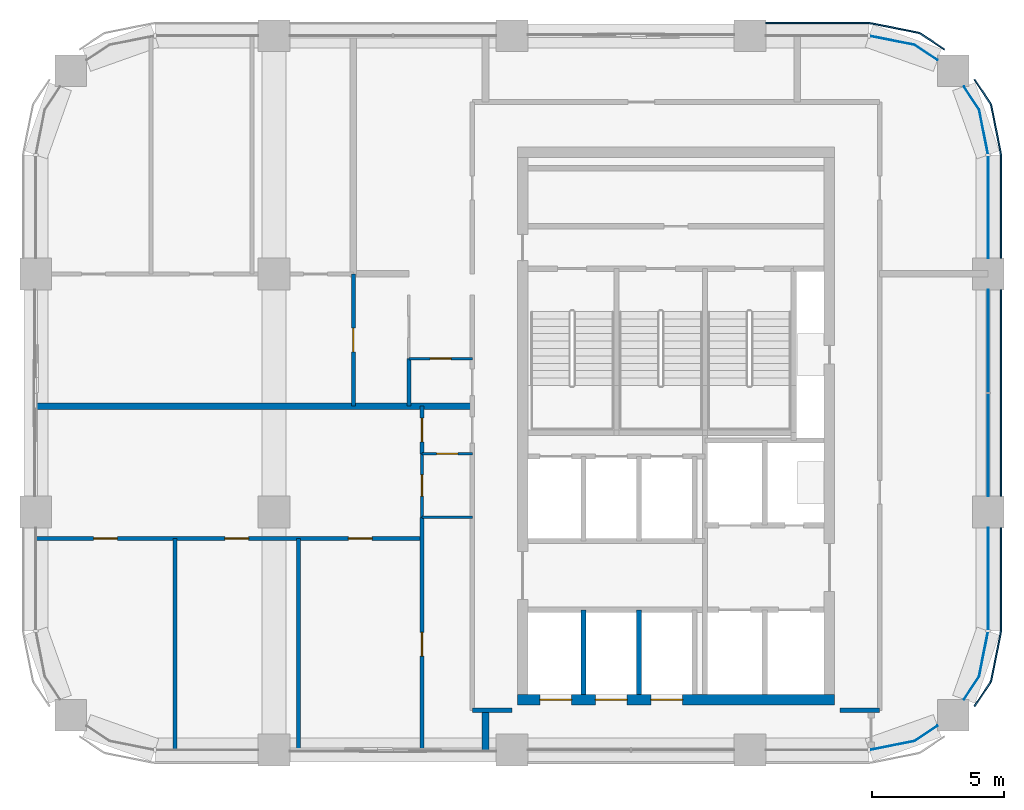
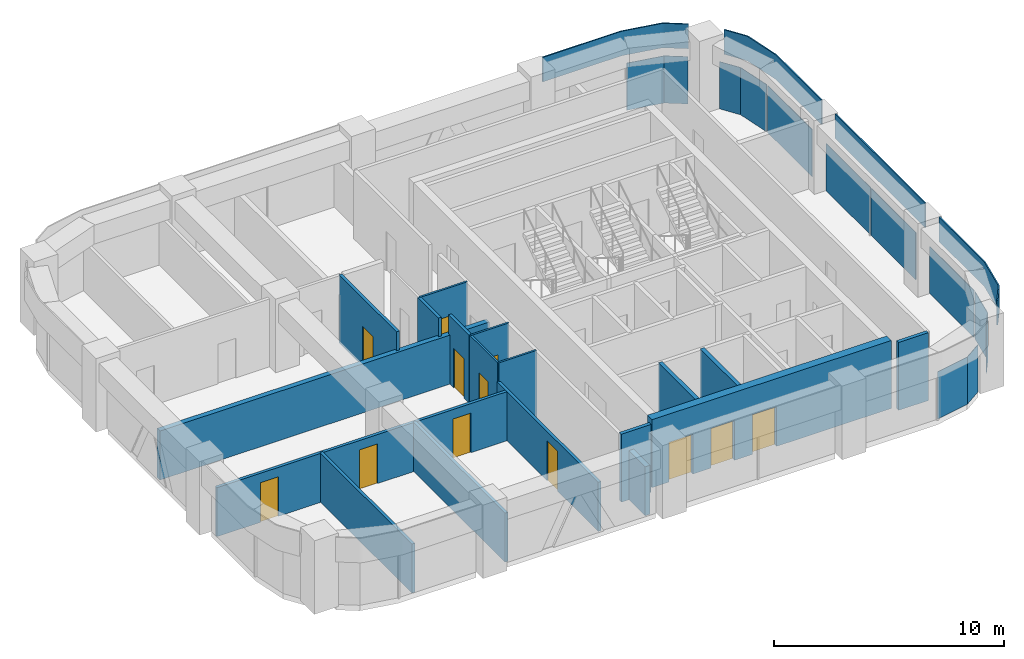
# One storey, part 7 of 10: 18 walls, 12 doors, 12 plates, 12 openings, 5 elements without a shape of their own.
"""IFC4 building model written with IfcOpenShell, lengths in metres."""

from ifc_helpers import new_model, si_unit, direction, frame, frame_2d, origin, origin_2d, place, context, subcontext, project, spatial, polyline, rectangle, outline, extrude, material, layer, layer_set, type_object, element, fill, aggregate, save


model = new_model("IFC4")

# Units and contexts
model_context = context("Model", 3, precision=1e-05, world=origin(), true_north=direction((0.0, 1.0)))
body_context = subcontext(model_context, "Body", "Model", "MODEL_VIEW")
ifc_project = project(units=[si_unit("LENGTHUNIT", "METRE"), si_unit("AREAUNIT", "SQUARE_METRE"), si_unit("VOLUMEUNIT", "CUBIC_METRE"), si_unit("PLANEANGLEUNIT", "RADIAN"), si_unit("MASSUNIT", "GRAM", prefix="KILO")], contexts=[model_context])

# Site, building, storey
site_placement = place(None, origin())
site = spatial("IfcSite", under=ifc_project, at=site_placement, CompositionType="ELEMENT")
building_placement = place(site_placement, origin())
building = spatial("IfcBuilding", under=site, at=building_placement, Name="Tessera Arch", CompositionType="ELEMENT")
storey_placement = place(building_placement, frame((0.0, 0.0, 254.0)))
storey = spatial("IfcBuildingStorey", under=building, at=storey_placement, Name="L61", CompositionType="ELEMENT", Elevation=254.0)

# Curtain wall, plates
ifc_material_1 = material(Name="CW1 curtain wall")
curtain_wall_type_1 = type_object("IfcCurtainWallType", Name="CW1 curtain wall", PredefinedType="NOTDEFINED", material=ifc_material_1)
curtain_wall_1_placement = place(storey_placement, origin())
curtain_wall_1 = element("IfcCurtainWall", 1, at=curtain_wall_1_placement, inside=storey, type_object=curtain_wall_type_1, Name="CW1 curtain wall E54.27/0 L61", PredefinedType="NOTDEFINED")
ifc_material_2 = material(Name="Clear low-e glass", Category="glass")
ifc_material_3 = material(Name="Clear low-e glass", Category="glass")
ifc_layer_1 = layer(ifc_material_3, 0.028076171875)
ifc_layer_set_1 = layer_set([ifc_layer_1], Name="CW1 glass panel")
plate_type_1 = type_object("IfcPlateType", Name="CW1 glass panel", PredefinedType="CURTAIN_PANEL", material=ifc_layer_set_1)
plate_1_placement = place(storey_placement, frame((54.0, 38.534912109375, 0.0), z_axis=(0.0, 0.0, 1.0), x_axis=(0.0, 1.0, 0.0)))
plate_1 = element("IfcPlate", 2, at=plate_1_placement, type_object=plate_type_1, material=ifc_material_2, Name="CW1 glass panel E54.27/0 1.1.1", PredefinedType="CURTAIN_PANEL", context=body_context, shape_type="SweptSolid", body=[
    extrude(rectangle(XDim=3.8701171875, YDim=0.028076171875, at=origin_2d()), origin(), (0.0, 0.0, 1.0), 2.5),
])
plate_2_placement = place(storey_placement, frame((54.0, 42.465087890625, 0.0), z_axis=(0.0, 0.0, 1.0), x_axis=(0.0, 1.0, 0.0)))
plate_2 = element("IfcPlate", 3, at=plate_2_placement, type_object=plate_type_1, material=ifc_material_2, Name="CW1 glass panel E54.27/0 1.2.1", PredefinedType="CURTAIN_PANEL", context=body_context, shape_type="SweptSolid", body=[
    extrude(rectangle(XDim=3.8701171875, YDim=0.028076171875, at=origin_2d()), origin(), (0.0, 0.0, 1.0), 2.5),
])
ifc_material_4 = material(Name="Pale anodised aluminium panel", Category="aluminium")
ifc_layer_2 = layer(ifc_material_4, 0.06005859375)
ifc_layer_set_2 = layer_set([ifc_layer_2], Name="CW1 spandrel panel")
plate_type_2 = type_object("IfcPlateType", Name="CW1 spandrel panel", PredefinedType="CURTAIN_PANEL", material=ifc_layer_set_2)
plate_3_placement = place(storey_placement, frame((54.47998046875, 40.5, 2.60009765625), z_axis=(0.0, 0.0, 1.0), x_axis=(0.0, 1.0, 0.0)))
plate_3 = element("IfcPlate", 4, at=plate_3_placement, type_object=plate_type_2, Name="CW1 spandrel panel E54.27/0", PredefinedType="CURTAIN_PANEL", context=body_context, shape_type="SweptSolid", body=[
    extrude(rectangle(XDim=7.800048828125, YDim=0.06005859375, at=origin_2d()), origin(), (0.0, 0.0, 1.0), 1.300048828125),
])
aggregate(curtain_wall_1, [plate_1, plate_2, plate_3])

ifc_material_5 = material(Name="CW2 curtain wall")
curtain_wall_type_2 = type_object("IfcCurtainWallType", Name="CW2 curtain wall", PredefinedType="NOTDEFINED", material=ifc_material_5)
curtain_wall_2_placement = place(storey_placement, origin())
curtain_wall_2 = element("IfcCurtainWall", 5, at=curtain_wall_2_placement, inside=storey, type_object=curtain_wall_type_2, Name="CW2 curtain wall E54.27/1 L61", PredefinedType="NOTDEFINED")
ifc_material_6 = material(Name="Clear low-e glass", Category="glass")
ifc_layer_3 = layer(ifc_material_6, 0.028076171875)
ifc_layer_set_3 = layer_set([ifc_layer_3], Name="CW2 glass panel")
plate_type_3 = type_object("IfcPlateType", Name="CW2 glass panel", PredefinedType="CURTAIN_PANEL", material=ifc_layer_set_3)
plate_4_placement = place(storey_placement, frame((54.0, 47.530029296875, 0.0), z_axis=(0.0, 0.0, 1.0), x_axis=(0.0, 1.0, 0.0)))
plate_4 = element("IfcPlate", 6, at=plate_4_placement, type_object=plate_type_3, material=ifc_material_2, Name="CW2 glass panel E54.27/1 1.1", PredefinedType="CURTAIN_PANEL", context=body_context, shape_type="SweptSolid", body=[
    extrude(rectangle(XDim=3.860107421875, YDim=0.028076171875, at=origin_2d()), origin(), (0.0, 0.0, 1.0), 2.5),
])
plate_5_placement = place(storey_placement, origin())
plate_5 = element("IfcPlate", 7, at=plate_5_placement, type_object=plate_type_3, material=ifc_material_2, Name="CW2 curved glass panel E54.27/1 2.1", PredefinedType="CURTAIN_PANEL", context=body_context, shape_type="SweptSolid", body=[
    extrude(outline(polyline([(53.644287109375, 51.216552734375), (53.978515625, 49.53662109375), (54.005859375, 49.5419921875), (53.670654296875, 51.2275390625), (53.094482421875, 52.08984375), (53.0712890625, 52.07421875), (53.644287109375, 51.216552734375)])), origin(), (0.0, 0.0, 1.0), 2.5),
])

# Curtain wall, plate
curtain_wall_3_placement = place(storey_placement, origin())
curtain_wall_3 = element("IfcCurtainWall", 8, at=curtain_wall_3_placement, inside=storey, type_object=curtain_wall_type_2, Name="CW2 curtain wall N54.18/0 L61", PredefinedType="NOTDEFINED")
plate_6_placement = place(storey_placement, origin())
plate_6 = element("IfcPlate", 9, at=plate_6_placement, type_object=plate_type_3, material=ifc_material_2, Name="CW2 curved glass panel N54.18/0 2.1", PredefinedType="CURTAIN_PANEL", context=body_context, shape_type="SweptSolid", body=[
    extrude(outline(polyline([(51.216552734375, 53.644287109375), (52.07421875, 53.0712890625), (52.08984375, 53.094482421875), (51.2275390625, 53.670654296875), (49.5419921875, 54.005859375), (49.53662109375, 53.978515625), (51.216552734375, 53.644287109375)])), origin(), (0.0, 0.0, 1.0), 2.5),
])

curtain_wall_4_placement = place(storey_placement, origin())
curtain_wall_4 = element("IfcCurtainWall", 10, at=curtain_wall_4_placement, inside=storey, type_object=curtain_wall_type_2, Name="CW2 curtain wall S27.18/3 L61", PredefinedType="NOTDEFINED")
plate_7_placement = place(storey_placement, origin())
plate_7 = element("IfcPlate", 11, at=plate_7_placement, type_object=plate_type_3, material=ifc_material_2, Name="CW2 curved glass panel S27.18/3 2.1", PredefinedType="CURTAIN_PANEL", context=body_context, shape_type="SweptSolid", body=[
    extrude(outline(polyline([(51.216552734375, 27.355712890625), (49.53662109375, 27.021484375), (49.5419921875, 26.994140625), (51.2275390625, 27.329345703125), (52.08984375, 27.905517578125), (52.07421875, 27.9287109375), (51.216552734375, 27.355712890625)])), origin(), (0.0, 0.0, 1.0), 2.5),
])
aggregate(curtain_wall_4, [plate_7])

# Curtain wall, plates
curtain_wall_5_placement = place(storey_placement, origin())
curtain_wall_5 = element("IfcCurtainWall", 12, at=curtain_wall_5_placement, inside=storey, type_object=curtain_wall_type_2, Name="CW2 curtain wall E54.27/2 L61", PredefinedType="NOTDEFINED")
plate_8_placement = place(storey_placement, frame((54.0, 33.469970703125, 0.0), z_axis=(0.0, 0.0, 1.0), x_axis=(0.0, 1.0, 0.0)))
plate_8 = element("IfcPlate", 13, at=plate_8_placement, type_object=plate_type_3, material=ifc_material_2, Name="CW2 glass panel E54.27/2 1.1", PredefinedType="CURTAIN_PANEL", context=body_context, shape_type="SweptSolid", body=[
    extrude(rectangle(XDim=3.860107421875, YDim=0.028076171875, at=origin_2d()), origin(), (0.0, 0.0, 1.0), 2.5),
])
plate_9_placement = place(storey_placement, origin())
plate_9 = element("IfcPlate", 14, at=plate_9_placement, type_object=plate_type_3, material=ifc_material_2, Name="CW2 curved glass panel E54.27/2 2.1", PredefinedType="CURTAIN_PANEL", context=body_context, shape_type="SweptSolid", body=[
    extrude(outline(polyline([(53.644287109375, 29.783447265625), (53.0712890625, 28.92578125), (53.094482421875, 28.91015625), (53.670654296875, 29.7724609375), (54.005859375, 31.4580078125), (53.978515625, 31.46337890625), (53.644287109375, 29.783447265625)])), origin(), (0.0, 0.0, 1.0), 2.5),
])

# Plate
ifc_material_7 = material(Name="Pale anodised aluminium panel", Category="aluminium")
ifc_layer_4 = layer(ifc_material_7, 0.06005859375)
ifc_layer_set_4 = layer_set([ifc_layer_4], Name="CW2 spandrel panel")
plate_type_4 = type_object("IfcPlateType", Name="CW2 spandrel panel", PredefinedType="CURTAIN_PANEL", material=ifc_layer_set_4)
plate_10_placement = place(storey_placement, frame((0.0, 0.0, 2.60009765625)))
plate_10 = element("IfcPlate", 15, at=plate_10_placement, type_object=plate_type_4, Name="CW2 spandrel panel E54.27/1", PredefinedType="CURTAIN_PANEL", context=body_context, shape_type="SweptSolid", body=[
    extrude(outline(polyline([(54.449951171875, 49.499267578125), (54.449951171875, 45.60009765625), (54.510009765625, 45.60009765625), (54.510009765625, 49.500732421875), (54.507568359375, 49.550048828125), (54.500244140625, 49.598876953125), (54.157470703125, 51.322265625), (54.1455078125, 51.3701171875), (54.128662109375, 51.417236328125), (54.107421875, 51.462646484375), (54.08203125, 51.5048828125), (53.5068359375, 52.365234375), (53.45703125, 52.33203125), (54.03125, 51.47265625), (54.054443359375, 51.434326171875), (54.0732421875, 51.394287109375), (54.088134765625, 51.352783203125), (54.09912109375, 51.30908203125), (54.441162109375, 49.588623046875), (54.44775390625, 49.544189453125), (54.449951171875, 49.499267578125)])), origin(), (0.0, 0.0, 1.0), 1.2998046875),
])

aggregate(curtain_wall_2, [plate_4, plate_5, plate_10])

plate_11_placement = place(storey_placement, frame((0.0, 0.0, 2.60009765625)))
plate_11 = element("IfcPlate", 16, at=plate_11_placement, type_object=plate_type_4, Name="CW2 spandrel panel N54.18/0", PredefinedType="CURTAIN_PANEL", context=body_context, shape_type="SweptSolid", body=[
    extrude(outline(polyline([(51.47265625, 54.03125), (52.33203125, 53.45703125), (52.365234375, 53.5068359375), (51.5048828125, 54.08203125), (51.462646484375, 54.107421875), (51.417236328125, 54.128662109375), (51.3701171875, 54.1455078125), (51.322265625, 54.157470703125), (49.598876953125, 54.500244140625), (49.550048828125, 54.507568359375), (49.500732421875, 54.510009765625), (45.60009765625, 54.510009765625), (45.60009765625, 54.449951171875), (49.499267578125, 54.449951171875), (49.544189453125, 54.44775390625), (49.588623046875, 54.441162109375), (51.30908203125, 54.09912109375), (51.352783203125, 54.088134765625), (51.394287109375, 54.0732421875), (51.434326171875, 54.054443359375), (51.47265625, 54.03125)])), origin(), (0.0, 0.0, 1.0), 1.2998046875),
])

aggregate(curtain_wall_3, [plate_6, plate_11])

plate_12_placement = place(storey_placement, frame((0.0, 0.0, 2.60009765625)))
plate_12 = element("IfcPlate", 17, at=plate_12_placement, type_object=plate_type_4, Name="CW2 spandrel panel E54.27/2", PredefinedType="CURTAIN_PANEL", context=body_context, shape_type="SweptSolid", body=[
    extrude(outline(polyline([(54.03125, 29.52734375), (53.45703125, 28.66796875), (53.5068359375, 28.634765625), (54.08203125, 29.4951171875), (54.107421875, 29.537353515625), (54.128662109375, 29.582763671875), (54.1455078125, 29.6298828125), (54.157470703125, 29.677734375), (54.500244140625, 31.401123046875), (54.507568359375, 31.449951171875), (54.510009765625, 31.499267578125), (54.510009765625, 35.39990234375), (54.449951171875, 35.39990234375), (54.449951171875, 31.500732421875), (54.44775390625, 31.455810546875), (54.441162109375, 31.411376953125), (54.09912109375, 29.69091796875), (54.088134765625, 29.647216796875), (54.0732421875, 29.605712890625), (54.054443359375, 29.565673828125), (54.03125, 29.52734375)])), origin(), (0.0, 0.0, 1.0), 1.2998046875),
])

aggregate(curtain_wall_5, [plate_8, plate_9, plate_12])

# Wall, openings, doors
ifc_material_8 = material(Name="Concrete C50/60", Category="concrete")
ifc_layer_5 = layer(ifc_material_8, 0.39990234375)
ifc_layer_set_5 = layer_set([ifc_layer_5], Name="Core shell wall 400 C50-60")
wall_type_1 = type_object("IfcWallType", Name="Core shell wall 400 C50-60", PredefinedType="SHEAR", material=ifc_layer_set_5)
wall_1_placement = place(storey_placement, frame((36.199951171875, 28.89990234375, 0.0), z_axis=(0.0, 0.0, 1.0), x_axis=(1.0, 0.0, 0.0)))
wall_1 = element("IfcWall", 18, at=wall_1_placement, inside=storey, type_object=wall_type_1, Name="L61 C1 core wall S", PredefinedType="SHEAR", context=body_context, shape_type="SweptSolid", body=[
    extrude(rectangle(XDim=12.0, YDim=0.39990234375, at=frame_2d((6.0, 0.0))), origin(), (0.0, 0.0, 1.0), 3.60009765625),
])
opening_1_placement = place(wall_1_placement, frame((0.85009765625, 0.0, 0.0)))
opening_1 = element("IfcOpeningElement", 19, at=opening_1_placement, cuts=wall_1, Name="Opening L61-C01", PredefinedType="OPENING", context=body_context, shape_type="SweptSolid", body=[
    extrude(rectangle(XDim=1.199951171875, YDim=2.10009765625, at=frame_2d((0.60009765625, 1.050048828125))), frame((0.0, 0.2099609375, 0.0), z_axis=(0.0, -1.0, 0.0), x_axis=(1.0, 0.0, 0.0)), (0.0, 0.0, 1.0), 0.419921875),
])
opening_2_placement = place(wall_1_placement, frame((2.949951171875, 0.0, 0.0)))
opening_2 = element("IfcOpeningElement", 20, at=opening_2_placement, cuts=wall_1, Name="Opening L61-C03", PredefinedType="OPENING", context=body_context, shape_type="SweptSolid", body=[
    extrude(rectangle(XDim=1.199951171875, YDim=2.10009765625, at=frame_2d((0.60009765625, 1.050048828125))), frame((0.0, 0.2099609375, 0.0), z_axis=(0.0, -1.0, 0.0), x_axis=(1.0, 0.0, 0.0)), (0.0, 0.0, 1.0), 0.419921875),
])
opening_3_placement = place(wall_1_placement, frame((5.050048828125, 0.0, 0.0)))
opening_3 = element("IfcOpeningElement", 21, at=opening_3_placement, cuts=wall_1, Name="Opening L61-C05", PredefinedType="OPENING", context=body_context, shape_type="SweptSolid", body=[
    extrude(rectangle(XDim=1.199951171875, YDim=2.10009765625, at=frame_2d((0.60009765625, 1.050048828125))), frame((0.0, 0.2099609375, 0.0), z_axis=(0.0, -1.0, 0.0), x_axis=(1.0, 0.0, 0.0)), (0.0, 0.0, 1.0), 0.419921875),
])
ifc_material_9 = material(Name="Stainless steel AISI 304", Category="steel")
door_type_1 = type_object("IfcDoorType", Name="Sliding landing door 1200 x 2100", OperationType="SLIDING_TO_LEFT", PredefinedType="DOOR", material=ifc_material_9)
door_1_placement = place(opening_1_placement, origin())
door_1 = element("IfcDoor", 22, at=door_1_placement, inside=storey, type_object=door_type_1, Name="L61 HR1 lift landing door C01 type LD", OperationType="SLIDING_TO_LEFT", OverallHeight=2.10009765625, OverallWidth=1.199951171875, PredefinedType="DOOR", context=body_context, shape_type="SweptSolid", body=[
    extrude(rectangle(XDim=1.199951171875, YDim=2.10009765625, at=frame_2d((0.60009765625, 1.050048828125))), frame((0.0, 0.02490234375, 0.0), z_axis=(0.0, -1.0, 0.0), x_axis=(1.0, 0.0, 0.0)), (0.0, 0.0, 1.0), 0.050048828125),
])
fill(opening_1, door_1)
door_2_placement = place(opening_2_placement, origin())
door_2 = element("IfcDoor", 23, at=door_2_placement, inside=storey, type_object=door_type_1, Name="L61 HR2 lift landing door C03 type LD", OperationType="SLIDING_TO_LEFT", OverallHeight=2.10009765625, OverallWidth=1.199951171875, PredefinedType="DOOR", context=body_context, shape_type="SweptSolid", body=[
    extrude(rectangle(XDim=1.199951171875, YDim=2.10009765625, at=frame_2d((0.60009765625, 1.050048828125))), frame((0.0, 0.02490234375, 0.0), z_axis=(0.0, -1.0, 0.0), x_axis=(1.0, 0.0, 0.0)), (0.0, 0.0, 1.0), 0.050048828125),
])
fill(opening_2, door_2)
door_3_placement = place(opening_3_placement, origin())
door_3 = element("IfcDoor", 24, at=door_3_placement, inside=storey, type_object=door_type_1, Name="L61 HR3 lift landing door C05 type LD", OperationType="SLIDING_TO_LEFT", OverallHeight=2.10009765625, OverallWidth=1.199951171875, PredefinedType="DOOR", context=body_context, shape_type="SweptSolid", body=[
    extrude(rectangle(XDim=1.199951171875, YDim=2.10009765625, at=frame_2d((0.60009765625, 1.050048828125))), frame((0.0, 0.02490234375, 0.0), z_axis=(0.0, -1.0, 0.0), x_axis=(1.0, 0.0, 0.0)), (0.0, 0.0, 1.0), 0.050048828125),
])
fill(opening_3, door_3)

# Walls
ifc_material_10 = material(Name="Gypsum board on deep steel stud with mineral wool", Category="steel")
ifc_layer_6 = layer(ifc_material_10, 0.175048828125)
ifc_layer_set_6 = layer_set([ifc_layer_6], Name="Corridor wall 175 EI 60")
wall_type_2 = type_object("IfcWallType", Name="Corridor wall 175 EI 60", PredefinedType="PARTITIONING", material=ifc_layer_set_6)
for number, where, z_axis, x_axis, name in (
    (25, (34.5, 28.5, 0.0), (0.0, 0.0, 1.0), (1.0, 0.0, 0.0), "L61 partition 1"),
    (26, (48.39990234375, 28.5, 0.0), (0.0, 0.0, 1.0), (1.0, 0.0, 0.0), "L61 partition 2"),
):
    element("IfcWall", number, at=place(storey_placement, frame(where, z_axis=z_axis, x_axis=x_axis)), inside=storey, type_object=wall_type_2, Name=name, PredefinedType="PARTITIONING", context=body_context, shape_type="SweptSolid", body=[
        extrude(rectangle(XDim=1.5, YDim=0.175048828125, at=frame_2d((0.75, 0.0))), origin(), (0.0, 0.0, 1.0), 3.60009765625),
    ])

# Wall, openings, doors
ifc_material_11 = material(Name="Gypsum board on steel stud", Category="steel")
ifc_layer_7 = layer(ifc_material_11, 0.14990234375)
ifc_layer_set_7 = layer_set([ifc_layer_7], Name="Partition 150")
wall_type_3 = type_object("IfcWallType", Name="Partition 150", PredefinedType="PARTITIONING", material=ifc_layer_set_7)
wall_2_placement = place(storey_placement, frame((18.0, 35.0, 0.0), z_axis=(0.0, 0.0, 1.0), x_axis=(1.0, 0.0, 0.0)))
wall_2 = element("IfcWall", 27, at=wall_2_placement, inside=storey, type_object=wall_type_3, Name="L61 partition 7", PredefinedType="PARTITIONING", context=body_context, shape_type="SweptSolid", body=[
    extrude(rectangle(XDim=14.60009765625, YDim=0.14990234375, at=frame_2d((7.300048828125, 0.0))), origin(), (0.0, 0.0, 1.0), 2.60009765625),
])
opening_4_placement = place(wall_2_placement, frame((11.815673828125, 0.0, 0.0)))
opening_4 = element("IfcOpeningElement", 28, at=opening_4_placement, cuts=wall_2, Name="Opening L61-D006", PredefinedType="OPENING", context=body_context, shape_type="SweptSolid", body=[
    extrude(rectangle(XDim=0.89990234375, YDim=2.10009765625, at=frame_2d((0.449951171875, 1.050048828125))), frame((0.0, 0.0849609375, 0.0), z_axis=(0.0, -1.0, 0.0), x_axis=(1.0, 0.0, 0.0)), (0.0, 0.0, 1.0), 0.169921875),
])
opening_5_placement = place(wall_2_placement, frame((7.14697265625, 0.0, 0.0)))
opening_5 = element("IfcOpeningElement", 29, at=opening_5_placement, cuts=wall_2, Name="Opening L61-D007", PredefinedType="OPENING", context=body_context, shape_type="SweptSolid", body=[
    extrude(rectangle(XDim=0.89990234375, YDim=2.10009765625, at=frame_2d((0.449951171875, 1.050048828125))), frame((0.0, 0.0849609375, 0.0), z_axis=(0.0, -1.0, 0.0), x_axis=(1.0, 0.0, 0.0)), (0.0, 0.0, 1.0), 0.169921875),
])
opening_6_placement = place(wall_2_placement, frame((2.181396484375, 0.0, 0.0)))
opening_6 = element("IfcOpeningElement", 30, at=opening_6_placement, cuts=wall_2, Name="Opening L61-D008", PredefinedType="OPENING", context=body_context, shape_type="SweptSolid", body=[
    extrude(rectangle(XDim=0.89990234375, YDim=2.10009765625, at=frame_2d((0.449951171875, 1.050048828125))), frame((0.0, 0.0849609375, 0.0), z_axis=(0.0, -1.0, 0.0), x_axis=(1.0, 0.0, 0.0)), (0.0, 0.0, 1.0), 0.169921875),
])
ifc_material_12 = material(Name="Timber door leaf", Category="wood")
door_type_2 = type_object("IfcDoorType", Name="Room door 900 x 2100", OperationType="SINGLE_SWING_LEFT", PredefinedType="DOOR", material=ifc_material_12)
door_4_placement = place(opening_4_placement, origin())
door_4 = element("IfcDoor", 31, at=door_4_placement, inside=storey, type_object=door_type_2, Name="L61 door D006 type D01", OperationType="SINGLE_SWING_LEFT", OverallHeight=2.10009765625, OverallWidth=0.89990234375, PredefinedType="DOOR", context=body_context, shape_type="SweptSolid", body=[
    extrude(rectangle(XDim=0.89990234375, YDim=2.10009765625, at=frame_2d((0.449951171875, 1.050048828125))), frame((0.0, 0.02490234375, 0.0), z_axis=(0.0, -1.0, 0.0), x_axis=(1.0, 0.0, 0.0)), (0.0, 0.0, 1.0), 0.050048828125),
])
fill(opening_4, door_4)
door_5_placement = place(opening_5_placement, origin())
door_5 = element("IfcDoor", 32, at=door_5_placement, inside=storey, type_object=door_type_2, Name="L61 door D007 type D01", OperationType="SINGLE_SWING_LEFT", OverallHeight=2.10009765625, OverallWidth=0.89990234375, PredefinedType="DOOR", context=body_context, shape_type="SweptSolid", body=[
    extrude(rectangle(XDim=0.89990234375, YDim=2.10009765625, at=frame_2d((0.449951171875, 1.050048828125))), frame((0.0, 0.02490234375, 0.0), z_axis=(0.0, -1.0, 0.0), x_axis=(1.0, 0.0, 0.0)), (0.0, 0.0, 1.0), 0.050048828125),
])
fill(opening_5, door_5)
door_6_placement = place(opening_6_placement, origin())
door_6 = element("IfcDoor", 33, at=door_6_placement, inside=storey, type_object=door_type_2, Name="L61 door D008 type D01", OperationType="SINGLE_SWING_LEFT", OverallHeight=2.10009765625, OverallWidth=0.89990234375, PredefinedType="DOOR", context=body_context, shape_type="SweptSolid", body=[
    extrude(rectangle(XDim=0.89990234375, YDim=2.10009765625, at=frame_2d((0.449951171875, 1.050048828125))), frame((0.0, 0.02490234375, 0.0), z_axis=(0.0, -1.0, 0.0), x_axis=(1.0, 0.0, 0.0)), (0.0, 0.0, 1.0), 0.050048828125),
])
fill(opening_6, door_6)

# Walls
for number, where, z_axis, x_axis, name in (
    (34, (23.262939453125, 27.0, 0.0), (0.0, 0.0, 1.0), (0.0, 1.0, 0.0), "L61 partition 10"),
    (35, (27.930908203125, 27.0, 0.0), (0.0, 0.0, 1.0), (0.0, 1.0, 0.0), "L61 partition 12"),
):
    element("IfcWall", number, at=place(storey_placement, frame(where, z_axis=z_axis, x_axis=x_axis)), inside=storey, type_object=wall_type_3, Name=name, PredefinedType="PARTITIONING", context=body_context, shape_type="SweptSolid", body=[
        extrude(rectangle(XDim=8.0, YDim=0.14990234375, at=frame_2d((4.0, 0.0))), origin(), (0.0, 0.0, 1.0), 2.60009765625),
    ])

# Wall, opening, door
wall_3_placement = place(storey_placement, frame((30.0, 40.0, 0.0), z_axis=(0.0, 0.0, 1.0), x_axis=(0.0, 1.0, 0.0)))
wall_3 = element("IfcWall", 36, at=wall_3_placement, inside=storey, type_object=wall_type_3, Name="L61 partition 13", PredefinedType="PARTITIONING", context=body_context, shape_type="SweptSolid", body=[
    extrude(rectangle(XDim=5.0, YDim=0.14990234375, at=frame_2d((2.5, 0.0))), origin(), (0.0, 0.0, 1.0), 3.60009765625),
])
opening_7_placement = place(wall_3_placement, frame((2.050048828125, 0.0, 0.0)))
opening_7 = element("IfcOpeningElement", 37, at=opening_7_placement, cuts=wall_3, Name="Opening L61-D013", PredefinedType="OPENING", context=body_context, shape_type="SweptSolid", body=[
    extrude(rectangle(XDim=0.89990234375, YDim=2.10009765625, at=frame_2d((0.449951171875, 1.050048828125))), frame((0.0, 0.0849609375, 0.0), z_axis=(0.0, -1.0, 0.0), x_axis=(1.0, 0.0, 0.0)), (0.0, 0.0, 1.0), 0.169921875),
])
door_7_placement = place(opening_7_placement, origin())
door_7 = element("IfcDoor", 38, at=door_7_placement, inside=storey, type_object=door_type_2, Name="L61 door D013 type D01", OperationType="SINGLE_SWING_LEFT", OverallHeight=2.10009765625, OverallWidth=0.89990234375, PredefinedType="DOOR", context=body_context, shape_type="SweptSolid", body=[
    extrude(rectangle(XDim=0.89990234375, YDim=2.10009765625, at=frame_2d((0.449951171875, 1.050048828125))), frame((0.0, 0.02490234375, 0.0), z_axis=(0.0, -1.0, 0.0), x_axis=(1.0, 0.0, 0.0)), (0.0, 0.0, 1.0), 0.050048828125),
])
fill(opening_7, door_7)

# Wall
wall_4_placement = place(storey_placement, frame((32.10009765625, 40.0, 0.0), z_axis=(0.0, 0.0, 1.0), x_axis=(0.0, 1.0, 0.0)))
element("IfcWall", 39, at=wall_4_placement, inside=storey, type_object=wall_type_3, Name="L61 partition 14", PredefinedType="PARTITIONING", context=body_context, shape_type="SweptSolid", body=[
    extrude(rectangle(XDim=1.800048828125, YDim=0.14990234375, at=frame_2d((0.89990234375, 0.0))), origin(), (0.0, 0.0, 1.0), 3.60009765625),
])

# Wall, opening, door
wall_5_placement = place(storey_placement, frame((32.60009765625, 27.0, 0.0), z_axis=(0.0, 0.0, 1.0), x_axis=(0.0, 1.0, 0.0)))
wall_5 = element("IfcWall", 40, at=wall_5_placement, inside=storey, type_object=wall_type_3, Name="L61 partition 15", PredefinedType="PARTITIONING", context=body_context, shape_type="SweptSolid", body=[
    extrude(rectangle(XDim=8.800048828125, YDim=0.14990234375, at=frame_2d((4.39990234375, 0.0))), origin(), (0.0, 0.0, 1.0), 2.60009765625),
])
opening_8_placement = place(wall_5_placement, frame((3.550048828125, 0.0, 0.0)))
opening_8 = element("IfcOpeningElement", 41, at=opening_8_placement, cuts=wall_5, Name="Opening L61-D005", PredefinedType="OPENING", context=body_context, shape_type="SweptSolid", body=[
    extrude(rectangle(XDim=0.89990234375, YDim=2.10009765625, at=frame_2d((0.449951171875, 1.050048828125))), frame((0.0, 0.0849609375, 0.0), z_axis=(0.0, -1.0, 0.0), x_axis=(1.0, 0.0, 0.0)), (0.0, 0.0, 1.0), 0.169921875),
])
door_8_placement = place(opening_8_placement, origin())
door_8 = element("IfcDoor", 42, at=door_8_placement, inside=storey, type_object=door_type_2, Name="L61 door D005 type D01", OperationType="SINGLE_SWING_LEFT", OverallHeight=2.10009765625, OverallWidth=0.89990234375, PredefinedType="DOOR", context=body_context, shape_type="SweptSolid", body=[
    extrude(rectangle(XDim=0.89990234375, YDim=2.10009765625, at=frame_2d((0.449951171875, 1.050048828125))), frame((0.0, 0.02490234375, 0.0), z_axis=(0.0, -1.0, 0.0), x_axis=(1.0, 0.0, 0.0)), (0.0, 0.0, 1.0), 0.050048828125),
])
fill(opening_8, door_8)

wall_6_placement = place(storey_placement, frame((32.60009765625, 38.199951171875, 0.0), z_axis=(0.0, 0.0, 1.0), x_axis=(0.0, 1.0, 0.0)))
wall_6 = element("IfcWall", 43, at=wall_6_placement, inside=storey, type_object=wall_type_3, Name="L61 partition 16", PredefinedType="PARTITIONING", context=body_context, shape_type="SweptSolid", body=[
    extrude(rectangle(XDim=1.800048828125, YDim=0.14990234375, at=frame_2d((0.89990234375, 0.0))), origin(), (0.0, 0.0, 1.0), 3.60009765625),
])
opening_9_placement = place(wall_6_placement, frame((0.449951171875, 0.0, 0.0)))
opening_9 = element("IfcOpeningElement", 44, at=opening_9_placement, cuts=wall_6, Name="Opening L61-D002", PredefinedType="OPENING", context=body_context, shape_type="SweptSolid", body=[
    extrude(rectangle(XDim=0.89990234375, YDim=2.10009765625, at=frame_2d((0.449951171875, 1.050048828125))), frame((0.0, 0.0849609375, 0.0), z_axis=(0.0, -1.0, 0.0), x_axis=(1.0, 0.0, 0.0)), (0.0, 0.0, 1.0), 0.169921875),
])
door_9_placement = place(opening_9_placement, origin())
door_9 = element("IfcDoor", 45, at=door_9_placement, inside=storey, type_object=door_type_2, Name="L61 door D002 type D01", OperationType="SINGLE_SWING_LEFT", OverallHeight=2.10009765625, OverallWidth=0.89990234375, PredefinedType="DOOR", context=body_context, shape_type="SweptSolid", body=[
    extrude(rectangle(XDim=0.89990234375, YDim=2.10009765625, at=frame_2d((0.449951171875, 1.050048828125))), frame((0.0, 0.02490234375, 0.0), z_axis=(0.0, -1.0, 0.0), x_axis=(1.0, 0.0, 0.0)), (0.0, 0.0, 1.0), 0.050048828125),
])
fill(opening_9, door_9)

# Walls
ifc_material_13 = material(Name="Double gypsum board on twin steel stud with acoustic mineral wool", Category="steel")
ifc_layer_8 = layer(ifc_material_13, 0.25)
ifc_layer_set_8 = layer_set([ifc_layer_8], Name="Party wall 250 EI 60")
wall_type_4 = type_object("IfcWallType", Name="Party wall 250 EI 60", PredefinedType="PARTITIONING", material=ifc_layer_set_8)
wall_7_placement = place(storey_placement, frame((18.0, 40.0, 0.0), z_axis=(0.0, 0.0, 1.0), x_axis=(1.0, 0.0, 0.0)))
element("IfcWall", 46, at=wall_7_placement, inside=storey, type_object=wall_type_4, Name="L61 partition 17", PredefinedType="PARTITIONING", context=body_context, shape_type="SweptSolid", body=[
    extrude(rectangle(XDim=16.5, YDim=0.25, at=frame_2d((8.25, 0.0))), origin(), (0.0, 0.0, 1.0), 2.60009765625),
])
wall_8_placement = place(storey_placement, frame((35.0, 27.0, 0.0), z_axis=(0.0, 0.0, 1.0), x_axis=(0.0, 1.0, 0.0)))
element("IfcWall", 47, at=wall_8_placement, inside=storey, type_object=wall_type_4, Name="L61 partition 21", PredefinedType="PARTITIONING", context=body_context, shape_type="SweptSolid", body=[
    extrude(rectangle(XDim=1.5, YDim=0.25, at=frame_2d((0.75, 0.0))), origin(), (0.0, 0.0, 1.0), 2.60009765625),
])
ifc_material_14 = material(Name="Concrete C40/50", Category="concrete")
ifc_layer_9 = layer(ifc_material_14, 0.199951171875)
ifc_layer_set_9 = layer_set([ifc_layer_9], Name="Shaft wall 200 EI 120")
wall_type_5 = type_object("IfcWallType", Name="Shaft wall 200 EI 120", PredefinedType="SOLIDWALL", material=ifc_layer_set_9)
for number, where, z_axis, x_axis, name in (
    (48, (38.699951171875, 29.10009765625, 0.0), (0.0, 0.0, 1.0), (0.0, 1.0, 0.0), "L61 C1 shaft wall 1"),
    (49, (40.800048828125, 29.10009765625, 0.0), (0.0, 0.0, 1.0), (0.0, 1.0, 0.0), "L61 C1 shaft wall 5"),
):
    element("IfcWall", number, at=place(storey_placement, frame(where, z_axis=z_axis, x_axis=x_axis)), inside=storey, type_object=wall_type_5, Name=name, PredefinedType="SOLIDWALL", context=body_context, shape_type="SweptSolid", body=[
        extrude(rectangle(XDim=3.199951171875, YDim=0.199951171875, at=frame_2d((1.60009765625, 0.0))), origin(), (0.0, 0.0, 1.0), 3.60009765625),
    ])
ifc_material_15 = material(Name="Moisture-resistant board on pre-plumbed steel stud", Category="steel")
ifc_layer_10 = layer(ifc_material_15, 0.10009765625)
ifc_layer_set_10 = layer_set([ifc_layer_10], Name="Wet wall 100")
wall_type_6 = type_object("IfcWallType", Name="Wet wall 100", PredefinedType="PARTITIONING", material=ifc_layer_set_10)
wall_9_placement = place(storey_placement, frame((32.60009765625, 35.800048828125, 0.0), z_axis=(0.0, 0.0, 1.0), x_axis=(1.0, 0.0, 0.0)))
element("IfcWall", 50, at=wall_9_placement, inside=storey, type_object=wall_type_6, Name="L61 partition 25", PredefinedType="PARTITIONING", context=body_context, shape_type="SweptSolid", body=[
    extrude(rectangle(XDim=1.89990234375, YDim=0.10009765625, at=frame_2d((0.949951171875, 0.0))), origin(), (0.0, 0.0, 1.0), 3.60009765625),
])

# Wall, opening, door
wall_10_placement = place(storey_placement, frame((32.60009765625, 38.199951171875, 0.0), z_axis=(0.0, 0.0, 1.0), x_axis=(1.0, 0.0, 0.0)))
wall_10 = element("IfcWall", 51, at=wall_10_placement, inside=storey, type_object=wall_type_6, Name="L61 partition 26", PredefinedType="PARTITIONING", context=body_context, shape_type="SweptSolid", body=[
    extrude(rectangle(XDim=1.89990234375, YDim=0.10009765625, at=frame_2d((0.949951171875, 0.0))), origin(), (0.0, 0.0, 1.0), 3.60009765625),
])
opening_10_placement = place(wall_10_placement, frame((0.550048828125, 0.0, 0.0)))
opening_10 = element("IfcOpeningElement", 52, at=opening_10_placement, cuts=wall_10, Name="Opening L61-D003", PredefinedType="OPENING", context=body_context, shape_type="SweptSolid", body=[
    extrude(rectangle(XDim=0.800048828125, YDim=2.10009765625, at=frame_2d((0.39990234375, 1.050048828125))), frame((0.0, 0.06005859375, 0.0), z_axis=(0.0, -1.0, 0.0), x_axis=(1.0, 0.0, 0.0)), (0.0, 0.0, 1.0), 0.1201171875),
])
ifc_material_16 = material(Name="Timber door leaf", Category="wood")
door_type_3 = type_object("IfcDoorType", Name="En-suite door 800 x 2100", OperationType="SINGLE_SWING_LEFT", PredefinedType="DOOR", material=ifc_material_16)
door_10_placement = place(opening_10_placement, origin())
door_10 = element("IfcDoor", 53, at=door_10_placement, inside=storey, type_object=door_type_3, Name="L61 door D003 type D02", OperationType="SINGLE_SWING_LEFT", OverallHeight=2.10009765625, OverallWidth=0.800048828125, PredefinedType="DOOR", context=body_context, shape_type="SweptSolid", body=[
    extrude(rectangle(XDim=0.800048828125, YDim=2.10009765625, at=frame_2d((0.39990234375, 1.050048828125))), frame((0.0, 0.02490234375, 0.0), z_axis=(0.0, -1.0, 0.0), x_axis=(1.0, 0.0, 0.0)), (0.0, 0.0, 1.0), 0.050048828125),
])
fill(opening_10, door_10)

wall_11_placement = place(storey_placement, frame((32.10009765625, 41.800048828125, 0.0), z_axis=(0.0, 0.0, 1.0), x_axis=(1.0, 0.0, 0.0)))
wall_11 = element("IfcWall", 54, at=wall_11_placement, inside=storey, type_object=wall_type_6, Name="L61 partition 27", PredefinedType="PARTITIONING", context=body_context, shape_type="SweptSolid", body=[
    extrude(rectangle(XDim=2.39990234375, YDim=0.10009765625, at=frame_2d((1.199951171875, 0.0))), origin(), (0.0, 0.0, 1.0), 3.60009765625),
])
opening_11_placement = place(wall_11_placement, frame((0.800048828125, 0.0, 0.0)))
opening_11 = element("IfcOpeningElement", 55, at=opening_11_placement, cuts=wall_11, Name="Opening L61-D011", PredefinedType="OPENING", context=body_context, shape_type="SweptSolid", body=[
    extrude(rectangle(XDim=0.800048828125, YDim=2.10009765625, at=frame_2d((0.39990234375, 1.050048828125))), frame((0.0, 0.06005859375, 0.0), z_axis=(0.0, -1.0, 0.0), x_axis=(1.0, 0.0, 0.0)), (0.0, 0.0, 1.0), 0.1201171875),
])
door_11_placement = place(opening_11_placement, origin())
door_11 = element("IfcDoor", 56, at=door_11_placement, inside=storey, type_object=door_type_3, Name="L61 door D011 type D02", OperationType="SINGLE_SWING_RIGHT", OverallHeight=2.10009765625, OverallWidth=0.800048828125, PredefinedType="DOOR", context=body_context, shape_type="SweptSolid", body=[
    extrude(rectangle(XDim=0.800048828125, YDim=2.10009765625, at=frame_2d((0.39990234375, 1.050048828125))), frame((0.0, 0.02490234375, 0.0), z_axis=(0.0, -1.0, 0.0), x_axis=(1.0, 0.0, 0.0)), (0.0, 0.0, 1.0), 0.050048828125),
])
fill(opening_11, door_11)

wall_12_placement = place(storey_placement, frame((32.60009765625, 35.800048828125, 0.0), z_axis=(0.0, 0.0, 1.0), x_axis=(0.0, 1.0, 0.0)))
wall_12 = element("IfcWall", 57, at=wall_12_placement, inside=storey, type_object=wall_type_6, Name="L61 partition 29", PredefinedType="PARTITIONING", context=body_context, shape_type="SweptSolid", body=[
    extrude(rectangle(XDim=2.39990234375, YDim=0.10009765625, at=frame_2d((1.199951171875, 0.0))), origin(), (0.0, 0.0, 1.0), 3.60009765625),
])
opening_12_placement = place(wall_12_placement, frame((0.800048828125, 0.0, 0.0)))
opening_12 = element("IfcOpeningElement", 58, at=opening_12_placement, cuts=wall_12, Name="Opening L61-D004", PredefinedType="OPENING", context=body_context, shape_type="SweptSolid", body=[
    extrude(rectangle(XDim=0.800048828125, YDim=2.10009765625, at=frame_2d((0.39990234375, 1.050048828125))), frame((0.0, 0.06005859375, 0.0), z_axis=(0.0, -1.0, 0.0), x_axis=(1.0, 0.0, 0.0)), (0.0, 0.0, 1.0), 0.1201171875),
])
door_12_placement = place(opening_12_placement, origin())
door_12 = element("IfcDoor", 59, at=door_12_placement, inside=storey, type_object=door_type_3, Name="L61 door D004 type D02", OperationType="SINGLE_SWING_RIGHT", OverallHeight=2.10009765625, OverallWidth=0.800048828125, PredefinedType="DOOR", context=body_context, shape_type="SweptSolid", body=[
    extrude(rectangle(XDim=0.800048828125, YDim=2.10009765625, at=frame_2d((0.39990234375, 1.050048828125))), frame((0.0, 0.02490234375, 0.0), z_axis=(0.0, -1.0, 0.0), x_axis=(1.0, 0.0, 0.0)), (0.0, 0.0, 1.0), 0.050048828125),
])
fill(opening_12, door_12)

save(model, "model.ifc")
